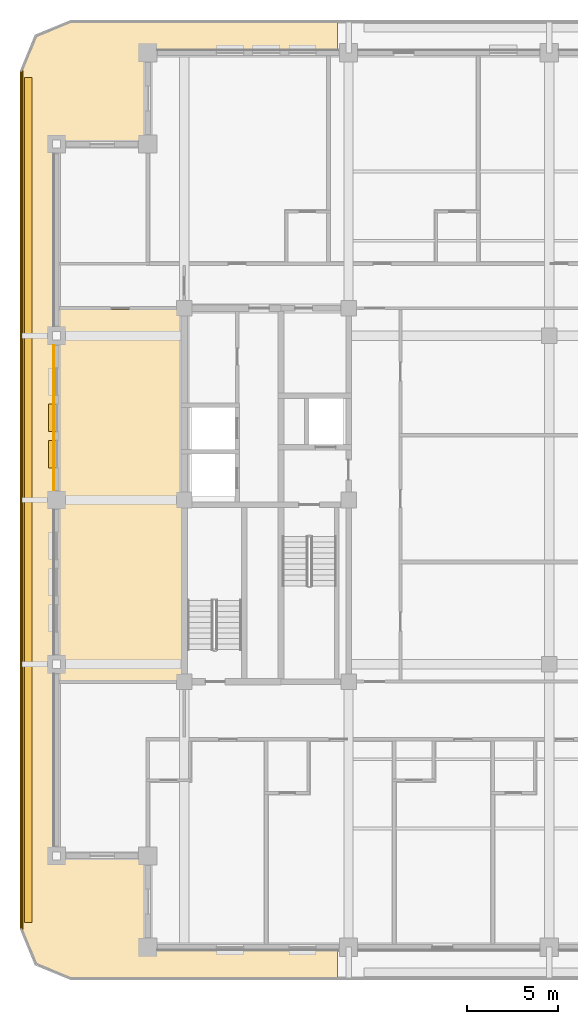
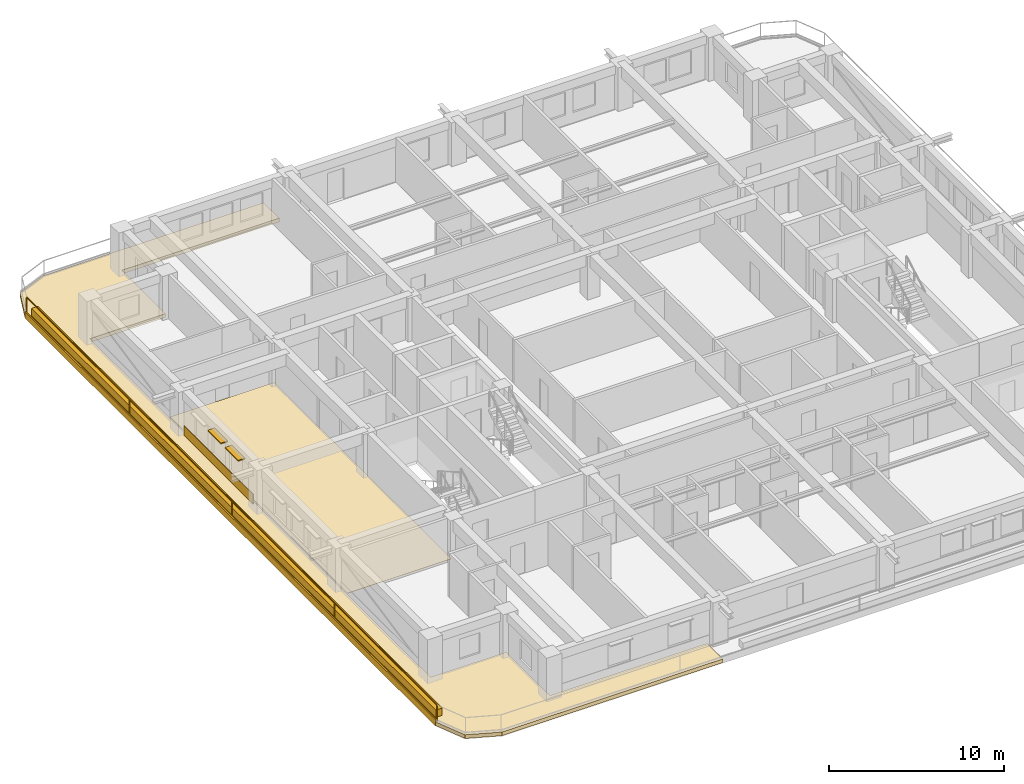
# One storey, part 10 of 14: 5 coverings, 2 shading devices, 1 railing.
"""IFC4 building model written with IfcOpenShell, lengths in metres."""

from ifc_helpers import new_model, si_unit, direction, frame, frame_2d, origin, origin_2d, place, context, subcontext, project, spatial, polyline, rectangle, outline, extrude, material, layer, layer_set, type_object, element, save


model = new_model("IFC4")

# Units and contexts
model_context = context("Model", 3, precision=1e-05, world=origin(), true_north=direction((0.0, 1.0)))
body_context = subcontext(model_context, "Body", "Model", "MODEL_VIEW")
ifc_project = project(units=[si_unit("LENGTHUNIT", "METRE"), si_unit("AREAUNIT", "SQUARE_METRE"), si_unit("VOLUMEUNIT", "CUBIC_METRE"), si_unit("PLANEANGLEUNIT", "RADIAN"), si_unit("MASSUNIT", "GRAM", prefix="KILO")], contexts=[model_context])

# Site, building, storey
site_placement = place(None, origin())
site = spatial("IfcSite", under=ifc_project, at=site_placement, CompositionType="ELEMENT")
building_placement = place(site_placement, origin())
building = spatial("IfcBuilding", under=site, at=building_placement, Name="Zulmaris Gate Convention Tower", CompositionType="ELEMENT")
storey_placement = place(building_placement, frame((0.0, 0.0, 208.4599609375)))
storey = spatial("IfcBuildingStorey", under=building, at=storey_placement, Name="L54", CompositionType="ELEMENT", Elevation=208.4599609375)

# Coverings
ifc_material_1 = material(Name="Precast concrete C40/50", Category="concrete")
ifc_layer_1 = layer(ifc_material_1, 0.0400390625, Name="Precast concrete C40/50")
ifc_layer_set_1 = layer_set([ifc_layer_1], Name="Precast concrete C40/50")
covering_type_1 = type_object("IfcCoveringType", Name="CLAD-SPANDREL-PRECAST", PredefinedType="CLADDING", material=ifc_layer_set_1)
covering_1_placement = place(storey_placement, frame((-27.14990234375, 8.469970703125, 0.0), z_axis=(0.0, 0.0, 1.0), x_axis=(0.0, -1.0, 0.0)))
element("IfcCovering", 1, at=covering_1_placement, inside=storey, type_object=covering_type_1, Name="CLD-L54-W-2_0", PredefinedType="CLADDING", context=body_context, shape_type="SweptSolid", body=[
    extrude(rectangle(XDim=7.93994140625, YDim=0.0400390625, at=frame_2d((3.969970703125, 0.0))), origin(), (0.0, 0.0, 1.0), 0.679931640625),
])
ifc_material_2 = material(Name="White Glazed Architectural Precast Concrete C40/50", Category="concrete")
ifc_layer_2 = layer(ifc_material_2, 0.239990234375, Name="White Glazed Architectural Precast Concrete C40/50")
ifc_layer_set_2 = layer_set([ifc_layer_2], Name="White Glazed Architectural Precast Concrete C40/50")
covering_type_2 = type_object("IfcCoveringType", Name="CLAD-TRAY-DECK", PredefinedType="CLADDING", material=ifc_layer_set_2)
covering_2_placement = place(storey_placement, frame((0.0, 0.0, -0.25)))
element("IfcCovering", 2, at=covering_2_placement, inside=storey, type_object=covering_type_2, Name="L54 West Rounded-Fascia Planter Tray Deck", PredefinedType="CLADDING", context=body_context, shape_type="SweptSolid", body=[
    extrude(outline(polyline([(-29.0, 23.5), (-28.179931640625, 25.47998046875), (-26.199951171875, 26.300048828125), (-11.60205078125, 26.300048828125), (-11.60205078125, 24.5), (-22.0, 24.5), (-22.0, 19.5), (-27.0, 19.5), (-27.0, -19.5), (-22.0, -19.5), (-22.0, -24.5), (-11.60205078125, -24.5), (-11.60205078125, -26.300048828125), (-26.199951171875, -26.300048828125), (-28.179931640625, -25.47998046875), (-29.0, -23.5), (-29.0, 23.5)])), origin(), (0.0, 0.0, 1.0), 0.260009765625),
])
ifc_layer_3 = layer(ifc_material_2, 0.080078125, Name="White Glazed Architectural Precast Concrete C40/50")
ifc_layer_set_3 = layer_set([ifc_layer_3], Name="White Glazed Architectural Precast Concrete C40/50")
covering_type_3 = type_object("IfcCoveringType", Name="CLAD-TRAY-FASCIA", PredefinedType="CLADDING", material=ifc_layer_set_3)
covering_3_placement = place(storey_placement, frame((-28.9599609375, 23.5, -0.2900390625), z_axis=(0.0, 0.0, 1.0), x_axis=(0.0, -1.0, 0.0)))
element("IfcCovering", 3, at=covering_3_placement, inside=storey, type_object=covering_type_3, Name="FSC-L54-TR-11", PredefinedType="CLADDING", context=body_context, shape_type="SweptSolid", body=[
    extrude(rectangle(XDim=47.0, YDim=0.080078125, at=frame_2d((23.5, 0.0))), origin(), (0.0, 0.0, 1.0), 0.4599609375),
])
ifc_material_3 = material(Name="Engineered Teak Parquet Flooring")
ifc_layer_4 = layer(ifc_material_3, 0.02001953125, Name="Engineered Teak Parquet Flooring")
ifc_layer_set_4 = layer_set([ifc_layer_4], Name="Engineered Teak Parquet Flooring")
covering_type_4 = type_object("IfcCoveringType", Name="FLR-TIMBER-18", PredefinedType="FLOORING", material=ifc_layer_set_4)
covering_4_placement = place(storey_placement, origin())
element("IfcCovering", 4, at=covering_4_placement, inside=storey, type_object=covering_type_4, Name="FLR-L54-R56", PredefinedType="FLOORING", context=body_context, shape_type="SweptSolid", body=[
    extrude(outline(polyline([(-26.93994140625, -9.889892578125), (-20.06005859375, -9.889892578125), (-20.06005859375, 10.43994140625), (-26.93994140625, 10.43994140625), (-26.93994140625, -9.889892578125)])), origin(), (0.0, 0.0, 1.0), 0.02001953125),
])
ifc_material_4 = material(Name="Botanical Green Glazed Precast Concrete C40/50", Category="concrete")
ifc_layer_5 = layer(ifc_material_4, 0.419921875, Name="Botanical Green Glazed Precast Concrete C40/50")
ifc_layer_set_5 = layer_set([ifc_layer_5], Name="Botanical Green Glazed Precast Concrete C40/50")
covering_type_5 = type_object("IfcCoveringType", Name="PLANTER-BOX-200", PredefinedType="CLADDING", material=ifc_layer_set_5)
covering_5_placement = place(storey_placement, frame((0.0, 0.0, 0.010009765625)))
element("IfcCovering", 5, at=covering_5_placement, inside=storey, type_object=covering_type_5, Name="L54 W Full-Length Balcony Tree Planter Trough", PredefinedType="CLADDING", context=body_context, shape_type="SweptSolid", body=[
    extrude(outline(polyline([(-28.760009765625, -23.14990234375), (-28.340087890625, -23.14990234375), (-28.340087890625, 23.14990234375), (-28.760009765625, 23.14990234375), (-28.760009765625, -23.14990234375)])), origin(), (0.0, 0.0, 1.0), 0.52001953125),
])

# Railing
ifc_material_5 = material(Name="Laminated Glass and Stainless Steel", Category="steel")
railing_type = type_object("IfcRailingType", Name="RL-BALC-1150", PredefinedType="BALUSTRADE", material=ifc_material_5)
railing_placement = place(storey_placement, frame((-28.8798828125, 23.5, 0.010009765625)))
element("IfcRailing", 6, at=railing_placement, inside=storey, type_object=railing_type, Name="RL-L54-BALC-W", PredefinedType="BALUSTRADE", context=body_context, shape_type="SweptSolid", body=[
    extrude(rectangle(XDim=0.048095703125, YDim=0.048095703125, at=origin_2d()), frame((0.0, 0.0, 1.1259765625), z_axis=(0.0, -1.0, 0.0), x_axis=(1.0, 0.0, 0.0)), (0.0, 0.0, 1.0), 47.0),
    extrude(rectangle(XDim=0.048095703125, YDim=0.048095703125, at=origin_2d()), frame((0.0, 0.0, 0.02392578125), z_axis=(0.0, -1.0, 0.0), x_axis=(1.0, 0.0, 0.0)), (0.0, 0.0, 1.0), 47.0),
    extrude(rectangle(XDim=0.0419921875, YDim=0.0419921875, at=origin_2d()), origin(), (0.0, 0.0, 1.0), 1.101806640625),
    extrude(rectangle(XDim=0.0419921875, YDim=0.0419921875, at=origin_2d()), frame((0.0, -11.75, 0.0)), (0.0, 0.0, 1.0), 1.101806640625),
    extrude(rectangle(XDim=0.0419921875, YDim=0.0419921875, at=origin_2d()), frame((0.0, -23.5, 0.0)), (0.0, 0.0, 1.0), 1.101806640625),
    extrude(rectangle(XDim=0.0419921875, YDim=0.0419921875, at=origin_2d()), frame((0.0, -35.25, 0.0)), (0.0, 0.0, 1.0), 1.101806640625),
    extrude(rectangle(XDim=0.0419921875, YDim=0.0419921875, at=origin_2d()), frame((0.0, -47.0, 0.0)), (0.0, 0.0, 1.0), 1.101806640625),
])

# Shading devices
ifc_material_6 = material(Name="Glazed Ceramic Terracotta", Category="masonry")
ifc_layer_6 = layer(ifc_material_6, 0.070068359375, Name="Glazed Ceramic Terracotta")
ifc_layer_set_6 = layer_set([ifc_layer_6], Name="Glazed Ceramic Terracotta")
shading_device_type = type_object("IfcShadingDeviceType", Name="SHD-SUNSHADE-TC", PredefinedType="AWNING", material=ifc_layer_set_6)
for number, where, z_axis, x_axis, name in (
    (7, (-27.219970703125, 5.25, 2.35009765625), (0.0, 0.0, 1.0), (0.0, -1.0, 0.0), "SHD-EW-L54-W-2_0-2"),
    (8, (-27.219970703125, 3.264892578125, 2.35009765625), (0.0, 0.0, 1.0), (0.0, -1.0, 0.0), "SHD-EW-L54-W-2_0-3"),
):
    element("IfcShadingDevice", number, at=place(storey_placement, frame(where, z_axis=z_axis, x_axis=x_axis)), inside=storey, type_object=shading_device_type, Name=name, PredefinedType="AWNING", context=body_context, shape_type="SweptSolid", body=[
        extrude(rectangle(XDim=1.5, YDim=0.43994140625, at=frame_2d((0.75, 0.0))), origin(), (0.0, 0.0, 1.0), 0.06982421875),
    ])

save(model, "model.ifc")
